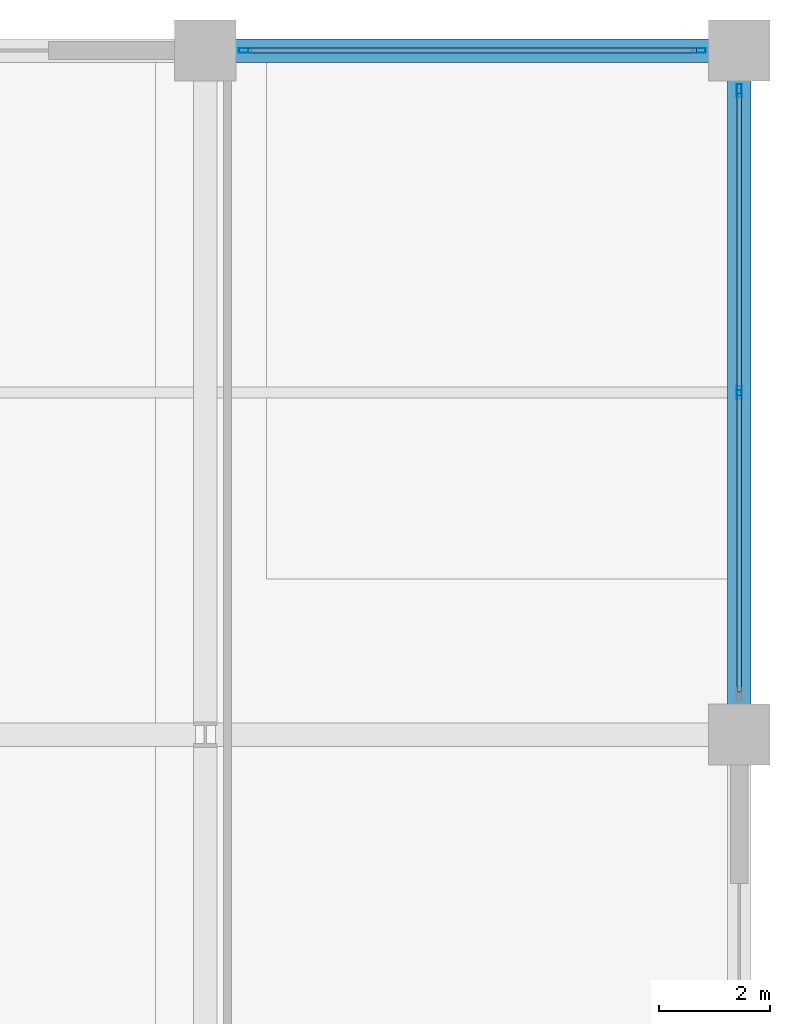
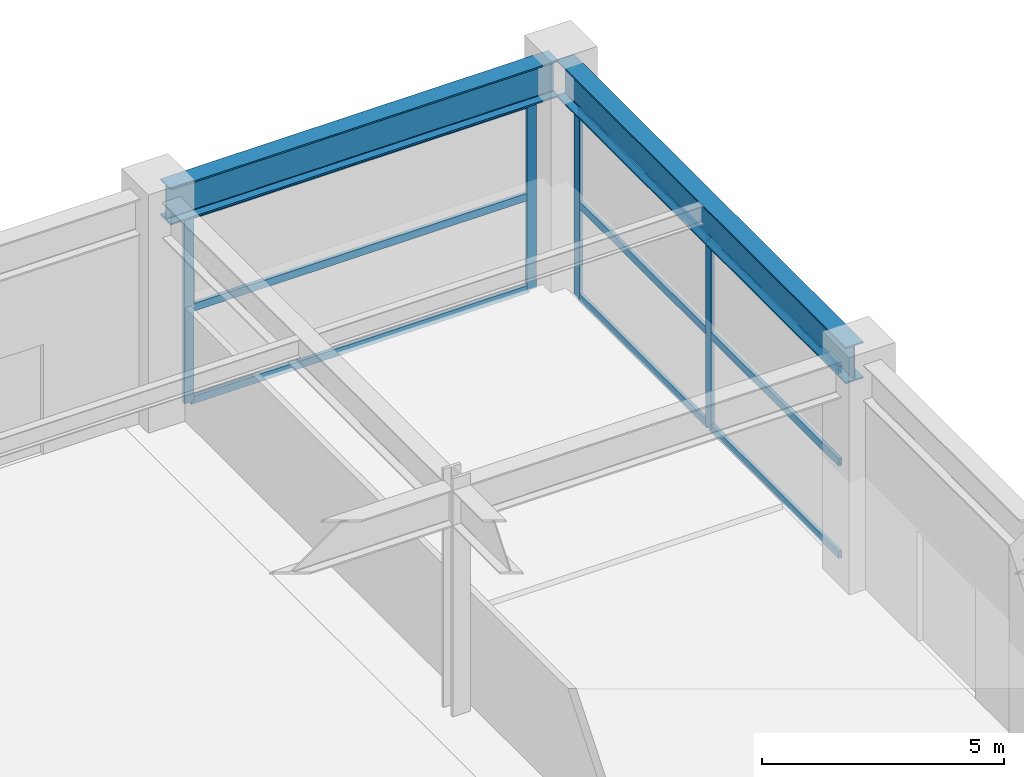
# One storey, part 28 of 41: 13 members, 2 beams, 2 elements without a shape of their own.
"""IFC4 building model written with IfcOpenShell, lengths in metres."""

from ifc_helpers import new_model, si_unit, direction, frame, origin, origin_2d, place, context, subcontext, project, spatial, hollow_rectangle, i_section, extrude, material, material_profile, profile_set, type_object, element, aggregate, save


model = new_model("IFC4")

# Units and contexts
model_context = context("Model", 3, precision=1e-05, world=origin(), true_north=direction((0.0, 1.0)))
body_context = subcontext(model_context, "Body", "Model", "MODEL_VIEW")
ifc_project = project(units=[si_unit("LENGTHUNIT", "METRE"), si_unit("AREAUNIT", "SQUARE_METRE"), si_unit("VOLUMEUNIT", "CUBIC_METRE"), si_unit("PLANEANGLEUNIT", "RADIAN"), si_unit("MASSUNIT", "GRAM", prefix="KILO")], contexts=[model_context])

# Site, building, storey
site_placement = place(None, origin())
site = spatial("IfcSite", under=ifc_project, at=site_placement, CompositionType="ELEMENT")
building_placement = place(site_placement, origin())
building = spatial("IfcBuilding", under=site, at=building_placement, Name="Kovane Verandah Tower", CompositionType="ELEMENT")
storey_placement = place(building_placement, origin())
storey = spatial("IfcBuildingStorey", under=building, at=storey_placement, Name="L00", CompositionType="ELEMENT", Elevation=0.0)

# Beams
ifc_material_1 = material(Name="Steel S460", Category="steel")
ifc_material_profile_1 = material_profile(ifc_material_1, i_section(OverallWidth=0.42041015625, OverallDepth=0.9208984375, WebThickness=0.021484375, FlangeThickness=0.03662109375, FilletRadius=0.024169921875, at=origin_2d()), Name="UB914x419x388")
ifc_profile_set_1 = profile_set([ifc_material_profile_1], Name="Steel S460")
beam_type = type_object("IfcBeamType", Name="BM-UB914x388", PredefinedType="BEAM", material=ifc_profile_set_1)
beam_1_placement = place(storey_placement, frame((72.580078125, 56.5, 5.239501953125), z_axis=(1.0, 0.0, 0.0), x_axis=(0.0, 1.0, 0.0)))
element("IfcBeam", 1, at=beam_1_placement, inside=storey, type_object=beam_type, Name="L00 Podium Grid Girder X30", PredefinedType="BEAM", context=body_context, shape_type="SweptSolid", body=[
    extrude(i_section(OverallWidth=0.42041015625, OverallDepth=0.9208984375, WebThickness=0.021484375, FlangeThickness=0.03662109375, FilletRadius=0.024169921875, at=origin_2d()), origin(), (0.0, 0.0, 1.0), 9.239990234375),
])
beam_2_placement = place(storey_placement, frame((82.0, 44.3798828125, 5.239501953125), z_axis=(0.0, 1.0, 0.0), x_axis=(-1.0, 0.0, 0.0)))
element("IfcBeam", 2, at=beam_2_placement, inside=storey, type_object=beam_type, Name="L00 Podium Grid Girder Y58", PredefinedType="BEAM", context=body_context, shape_type="SweptSolid", body=[
    extrude(i_section(OverallWidth=0.42041015625, OverallDepth=0.9208984375, WebThickness=0.021484375, FlangeThickness=0.03662109375, FilletRadius=0.024169921875, at=origin_2d()), origin(), (0.0, 0.0, 1.0), 11.940185546875),
])

# Curtain wall, members
ifc_material_2 = material(Name="Champagne Anodised Aluminium Frame with Low-E Clear Laminated Glass", Category="aluminium")
curtain_wall_type = type_object("IfcCurtainWallType", Name="CW-SYS-01-POD", PredefinedType="NOTDEFINED", material=ifc_material_2)
curtain_wall_1_placement = place(storey_placement, origin())
curtain_wall_1 = element("IfcCurtainWall", 3, at=curtain_wall_1_placement, inside=storey, type_object=curtain_wall_type, Name="Ground North Shopfront Curtain Wall Bay 7", PredefinedType="NOTDEFINED")
ifc_material_3 = material(Name="Champagne Anodised Aluminium 6063-T6", Category="aluminium")
ifc_material_profile_2 = material_profile(ifc_material_3, hollow_rectangle(XDim=0.0849609375, YDim=0.22998046875, WallThickness=0.00390625, at=origin_2d()), Name="AL85x230x4")
ifc_profile_set_2 = profile_set([ifc_material_profile_2], Name="Champagne Anodised Aluminium 6063-T6")
member_type_1 = type_object("IfcMemberType", Name="CW-MUL-85x230", PredefinedType="MULLION", material=ifc_profile_set_2)
member_1_placement = place(storey_placement, frame((81.280029296875, 56.5, 0.02001953125), z_axis=(0.0, 0.0, 1.0), x_axis=(0.0, 1.0, 0.0)))
member_1 = element("IfcMember", 4, at=member_1_placement, type_object=member_type_1, Name="Ground North Shopfront Curtain Wall Bay 7 Mullion 1", PredefinedType="MULLION", context=body_context, shape_type="SweptSolid", body=[
    extrude(hollow_rectangle(XDim=0.0849609375, YDim=0.22998046875, WallThickness=0.00390625, at=origin_2d()), origin(), (0.0, 0.0, 1.0), 4.718994140625),
])
member_2_placement = place(storey_placement, frame((73.1201171875, 56.5, 0.02001953125), z_axis=(0.0, 0.0, 1.0), x_axis=(0.0, 1.0, 0.0)))
member_2 = element("IfcMember", 5, at=member_2_placement, type_object=member_type_1, Name="Ground North Shopfront Curtain Wall Bay 7 Mullion 2", PredefinedType="MULLION", context=body_context, shape_type="SweptSolid", body=[
    extrude(hollow_rectangle(XDim=0.0849609375, YDim=0.22998046875, WallThickness=0.00390625, at=origin_2d()), origin(), (0.0, 0.0, 1.0), 4.718994140625),
])

curtain_wall_2_placement = place(storey_placement, origin())
curtain_wall_2 = element("IfcCurtainWall", 6, at=curtain_wall_2_placement, inside=storey, type_object=curtain_wall_type, Name="Ground East Shopfront Curtain Wall Bay 5", PredefinedType="NOTDEFINED")
member_3_placement = place(storey_placement, frame((82.0, 50.35009765625, 0.02001953125), z_axis=(0.0, 0.0, 1.0), x_axis=(1.0, 0.0, 0.0)))
member_3 = element("IfcMember", 7, at=member_3_placement, type_object=member_type_1, Name="Ground East Shopfront Curtain Wall Bay 5 Mullion 2", PredefinedType="MULLION", context=body_context, shape_type="SweptSolid", body=[
    extrude(hollow_rectangle(XDim=0.0849609375, YDim=0.22998046875, WallThickness=0.00390625, at=origin_2d()), origin(), (0.0, 0.0, 1.0), 4.718994140625),
])
member_4_placement = place(storey_placement, frame((82.0, 55.780029296875, 0.02001953125), z_axis=(0.0, 0.0, 1.0), x_axis=(1.0, 0.0, 0.0)))
member_4 = element("IfcMember", 8, at=member_4_placement, type_object=member_type_1, Name="Ground East Shopfront Curtain Wall Bay 5 Mullion 3", PredefinedType="MULLION", context=body_context, shape_type="SweptSolid", body=[
    extrude(hollow_rectangle(XDim=0.0849609375, YDim=0.22998046875, WallThickness=0.00390625, at=origin_2d()), origin(), (0.0, 0.0, 1.0), 4.718994140625),
])

# Member
ifc_material_profile_3 = material_profile(ifc_material_3, hollow_rectangle(XDim=0.0849609375, YDim=0.18994140625, WallThickness=0.00390625, at=origin_2d()), Name="AL85x190x4")
ifc_profile_set_3 = profile_set([ifc_material_profile_3], Name="Champagne Anodised Aluminium 6063-T6")
member_type_2 = type_object("IfcMemberType", Name="CW-TRN-85x190", PredefinedType="USERDEFINED", material=ifc_profile_set_3)
member_5_placement = place(storey_placement, frame((81.22998046875, 56.5, 0.050048828125), z_axis=(-1.0, 0.0, 0.0), x_axis=(0.0, -1.0, 0.0)))
member_5 = element("IfcMember", 9, at=member_5_placement, type_object=member_type_2, Name="Ground North Shopfront Curtain Wall Bay 7 Transom TB Bay 1", ObjectType="TRANSOM", PredefinedType="USERDEFINED", context=body_context, shape_type="SweptSolid", body=[
    extrude(hollow_rectangle(XDim=0.0849609375, YDim=0.18994140625, WallThickness=0.00390625, at=origin_2d()), origin(), (0.0, 0.0, 1.0), 8.06005859375),
])

member_6_placement = place(storey_placement, frame((81.22998046875, 56.5, 2.37939453125), z_axis=(-1.0, 0.0, 0.0), x_axis=(0.0, -1.0, 0.0)))
member_6 = element("IfcMember", 10, at=member_6_placement, type_object=member_type_2, Name="Ground North Shopfront Curtain Wall Bay 7 Transom TM Bay 1", ObjectType="TRANSOM", PredefinedType="USERDEFINED", context=body_context, shape_type="SweptSolid", body=[
    extrude(hollow_rectangle(XDim=0.0849609375, YDim=0.18994140625, WallThickness=0.00390625, at=origin_2d()), origin(), (0.0, 0.0, 1.0), 8.06005859375),
])

member_7_placement = place(storey_placement, frame((81.22998046875, 56.5, 4.708984375), z_axis=(-1.0, 0.0, 0.0), x_axis=(0.0, -1.0, 0.0)))
member_7 = element("IfcMember", 11, at=member_7_placement, type_object=member_type_2, Name="Ground North Shopfront Curtain Wall Bay 7 Transom TT Bay 1", ObjectType="TRANSOM", PredefinedType="USERDEFINED", context=body_context, shape_type="SweptSolid", body=[
    extrude(hollow_rectangle(XDim=0.0849609375, YDim=0.18994140625, WallThickness=0.00390625, at=origin_2d()), origin(), (0.0, 0.0, 1.0), 8.06005859375),
])

aggregate(curtain_wall_1, [member_1, member_2, member_5, member_6, member_7])

member_8_placement = place(storey_placement, frame((82.0, 44.969970703125, 0.050048828125), z_axis=(0.0, 1.0, 0.0), x_axis=(-1.0, 0.0, 0.0)))
member_8 = element("IfcMember", 12, at=member_8_placement, type_object=member_type_2, Name="Ground East Shopfront Curtain Wall Bay 5 Transom TB Bay 1", ObjectType="TRANSOM", PredefinedType="USERDEFINED", context=body_context, shape_type="SweptSolid", body=[
    extrude(hollow_rectangle(XDim=0.0849609375, YDim=0.18994140625, WallThickness=0.00390625, at=origin_2d()), origin(), (0.0, 0.0, 1.0), 5.330078125),
])

member_9_placement = place(storey_placement, frame((82.0, 44.969970703125, 2.37939453125), z_axis=(0.0, 1.0, 0.0), x_axis=(-1.0, 0.0, 0.0)))
member_9 = element("IfcMember", 13, at=member_9_placement, type_object=member_type_2, Name="Ground East Shopfront Curtain Wall Bay 5 Transom TM Bay 1", ObjectType="TRANSOM", PredefinedType="USERDEFINED", context=body_context, shape_type="SweptSolid", body=[
    extrude(hollow_rectangle(XDim=0.0849609375, YDim=0.18994140625, WallThickness=0.00390625, at=origin_2d()), origin(), (0.0, 0.0, 1.0), 5.330078125),
])

member_10_placement = place(storey_placement, frame((82.0, 44.969970703125, 4.708984375), z_axis=(0.0, 1.0, 0.0), x_axis=(-1.0, 0.0, 0.0)))
member_10 = element("IfcMember", 14, at=member_10_placement, type_object=member_type_2, Name="Ground East Shopfront Curtain Wall Bay 5 Transom TT Bay 1", ObjectType="TRANSOM", PredefinedType="USERDEFINED", context=body_context, shape_type="SweptSolid", body=[
    extrude(hollow_rectangle(XDim=0.0849609375, YDim=0.18994140625, WallThickness=0.00390625, at=origin_2d()), origin(), (0.0, 0.0, 1.0), 5.330078125),
])

member_11_placement = place(storey_placement, frame((82.0, 50.39990234375, 0.050048828125), z_axis=(0.0, 1.0, 0.0), x_axis=(-1.0, 0.0, 0.0)))
member_11 = element("IfcMember", 15, at=member_11_placement, type_object=member_type_2, Name="Ground East Shopfront Curtain Wall Bay 5 Transom TB Bay 2", ObjectType="TRANSOM", PredefinedType="USERDEFINED", context=body_context, shape_type="SweptSolid", body=[
    extrude(hollow_rectangle(XDim=0.0849609375, YDim=0.18994140625, WallThickness=0.00390625, at=origin_2d()), origin(), (0.0, 0.0, 1.0), 5.330078125),
])

member_12_placement = place(storey_placement, frame((82.0, 50.39990234375, 2.37939453125), z_axis=(0.0, 1.0, 0.0), x_axis=(-1.0, 0.0, 0.0)))
member_12 = element("IfcMember", 16, at=member_12_placement, type_object=member_type_2, Name="Ground East Shopfront Curtain Wall Bay 5 Transom TM Bay 2", ObjectType="TRANSOM", PredefinedType="USERDEFINED", context=body_context, shape_type="SweptSolid", body=[
    extrude(hollow_rectangle(XDim=0.0849609375, YDim=0.18994140625, WallThickness=0.00390625, at=origin_2d()), origin(), (0.0, 0.0, 1.0), 5.330078125),
])

member_13_placement = place(storey_placement, frame((82.0, 50.39990234375, 4.708984375), z_axis=(0.0, 1.0, 0.0), x_axis=(-1.0, 0.0, 0.0)))
member_13 = element("IfcMember", 17, at=member_13_placement, type_object=member_type_2, Name="Ground East Shopfront Curtain Wall Bay 5 Transom TT Bay 2", ObjectType="TRANSOM", PredefinedType="USERDEFINED", context=body_context, shape_type="SweptSolid", body=[
    extrude(hollow_rectangle(XDim=0.0849609375, YDim=0.18994140625, WallThickness=0.00390625, at=origin_2d()), origin(), (0.0, 0.0, 1.0), 5.330078125),
])

aggregate(curtain_wall_2, [member_3, member_4, member_8, member_9, member_10, member_11, member_12, member_13])

save(model, "model.ifc")
